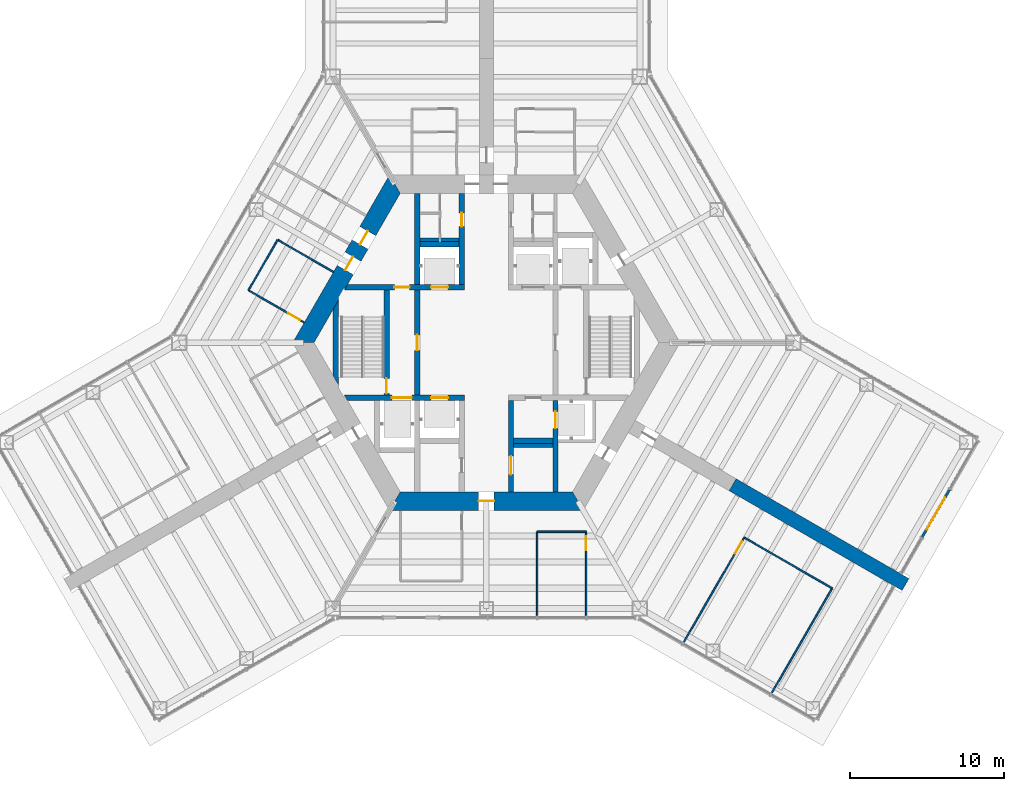
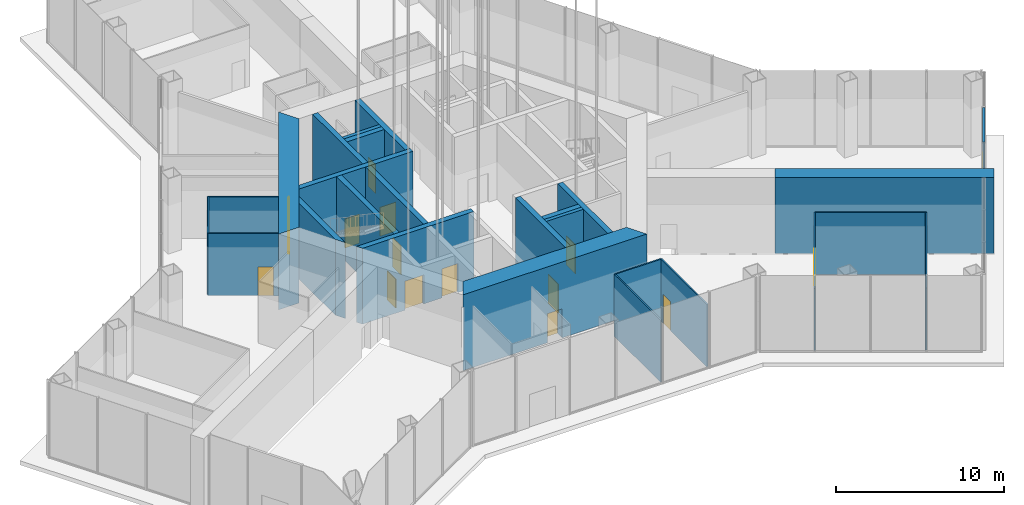
# One storey, part 10 of 18: 26 walls, 16 doors, 16 openings.
"""IFC4 building model written with IfcOpenShell, lengths in metres."""

from ifc_helpers import new_model, si_unit, direction, frame, frame_2d, origin, place, context, subcontext, project, spatial, polyline, rectangle, outline, extrude, material, layer, layer_set, type_object, element, fill, save


model = new_model("IFC4")

# Units and contexts
model_context = context("Model", 3, precision=1e-05, world=origin(), true_north=direction((0.0, 1.0)))
body_context = subcontext(model_context, "Body", "Model", "MODEL_VIEW")
ifc_project = project(units=[si_unit("LENGTHUNIT", "METRE"), si_unit("AREAUNIT", "SQUARE_METRE"), si_unit("VOLUMEUNIT", "CUBIC_METRE"), si_unit("PLANEANGLEUNIT", "RADIAN"), si_unit("MASSUNIT", "GRAM", prefix="KILO")], contexts=[model_context])

# Site, building, storey
site_placement = place(None, origin())
site = spatial("IfcSite", under=ifc_project, at=site_placement, CompositionType="ELEMENT")
building_placement = place(site_placement, origin())
building = spatial("IfcBuilding", under=site, at=building_placement, Name="Kasaneha Research Tower", CompositionType="ELEMENT")
storey_placement = place(building_placement, origin())
storey = spatial("IfcBuildingStorey", under=building, at=storey_placement, Name="L01", CompositionType="ELEMENT", Elevation=0.0)

# Wall, openings, doors
ifc_material_1 = material(Name="Concrete Fc100", Category="concrete")
ifc_layer_1 = layer(ifc_material_1, 0.35009765625)
ifc_layer_set_1 = layer_set([ifc_layer_1], Name="Core internal wall 350 Fc100")
wall_type_1 = type_object("IfcWallType", Name="Core internal wall 350 Fc100", PredefinedType="SHEAR", material=ifc_layer_set_1)
wall_1_placement = place(storey_placement, frame((-9.151123046875, 3.60009765625, 0.0), z_axis=(0.0, 0.0, 1.0), x_axis=(1.0, 0.0, 0.0)))
wall_1 = element("IfcWall", 1, at=wall_1_placement, inside=storey, type_object=wall_type_1, Name="Core wall W1W L01", PredefinedType="SHEAR", context=body_context, shape_type="SweptSolid", body=[
    extrude(outline(polyline([(-0.10107421875, -0.175048828125), (3.151123046875, -0.175048828125), (4.151123046875, -0.175048828125), (5.551025390625, -0.175048828125), (6.651123046875, -0.175048828125), (7.72607421875, -0.175048828125), (7.72607421875, 0.175048828125), (6.651123046875, 0.175048828125), (5.551025390625, 0.175048828125), (4.151123046875, 0.175048828125), (3.151123046875, 0.175048828125), (0.10107421875, 0.175048828125), (-0.10107421875, -0.175048828125)])), origin(), (0.0, 0.0, 1.0), 5.5),
])
opening_1_placement = place(wall_1_placement, frame((3.151123046875, 0.0, 0.0)))
opening_1 = element("IfcOpeningElement", 2, at=opening_1_placement, cuts=wall_1, Name="Opening L01-D12", PredefinedType="OPENING", context=body_context, shape_type="SweptSolid", body=[
    extrude(rectangle(XDim=1.0, YDim=2.10009765625, at=frame_2d((0.5, 1.050048828125))), frame((0.0, 0.18505859375, 0.0), z_axis=(0.0, -1.0, 0.0), x_axis=(1.0, 0.0, 0.0)), (0.0, 0.0, 1.0), 0.3701171875),
])
opening_2_placement = place(wall_1_placement, frame((5.551025390625, 0.0, 0.0)))
opening_2 = element("IfcOpeningElement", 3, at=opening_2_placement, cuts=wall_1, Name="Opening LD-LO1-L01", PredefinedType="OPENING", context=body_context, shape_type="SweptSolid", body=[
    extrude(rectangle(XDim=1.10009765625, YDim=2.10009765625, at=frame_2d((0.550048828125, 1.050048828125))), frame((0.0, 0.18505859375, 0.0), z_axis=(0.0, -1.0, 0.0), x_axis=(1.0, 0.0, 0.0)), (0.0, 0.0, 1.0), 0.3701171875),
])
ifc_material_2 = material(Name="Steel", Category="steel")
door_type_1 = type_object("IfcDoorType", Name="Lift landing door 1100x2100", OperationType="DOUBLE_DOOR_SLIDING", PredefinedType="DOOR", material=ifc_material_2)
door_1_placement = place(opening_2_placement, origin())
door_1 = element("IfcDoor", 4, at=door_1_placement, inside=storey, type_object=door_type_1, Name="Landing door LO1 LD-LO1-L01", OperationType="DOUBLE_DOOR_SLIDING", OverallHeight=2.10009765625, OverallWidth=1.10009765625, PredefinedType="DOOR", context=body_context, shape_type="SweptSolid", body=[
    extrude(rectangle(XDim=1.10009765625, YDim=2.10009765625, at=frame_2d((0.550048828125, 1.050048828125))), frame((0.0, 0.02490234375, 0.0), z_axis=(0.0, -1.0, 0.0), x_axis=(1.0, 0.0, 0.0)), (0.0, 0.0, 1.0), 0.050048828125),
])
fill(opening_2, door_1)
ifc_material_3 = material(Name="Steel", Category="steel")
door_type_2 = type_object("IfcDoorType", Name="Specified fire door FD60 1000x2100", OperationType="NOTDEFINED", PredefinedType="DOOR", material=ifc_material_3)
door_2_placement = place(opening_1_placement, origin())
door_2 = element("IfcDoor", 5, at=door_2_placement, inside=storey, type_object=door_type_2, Name="Vestibule to lobby door L01-D12", OperationType="SINGLE_SWING_LEFT", OverallHeight=2.10009765625, OverallWidth=1.0, PredefinedType="DOOR", context=body_context, shape_type="SweptSolid", body=[
    extrude(rectangle(XDim=1.0, YDim=2.10009765625, at=frame_2d((0.5, 1.050048828125))), frame((0.0, 0.02490234375, 0.0), z_axis=(0.0, -1.0, 0.0), x_axis=(1.0, 0.0, 0.0)), (0.0, 0.0, 1.0), 0.050048828125),
])
fill(opening_1, door_2)

wall_2_placement = place(storey_placement, frame((-9.151123046875, -3.60009765625, 0.0), z_axis=(0.0, 0.0, 1.0), x_axis=(1.0, 0.0, 0.0)))
wall_2 = element("IfcWall", 6, at=wall_2_placement, inside=storey, type_object=wall_type_1, Name="Core wall W2W L01", PredefinedType="SHEAR", context=body_context, shape_type="SweptSolid", body=[
    extrude(outline(polyline([(0.10107421875, -0.175048828125), (3.0009765625, -0.175048828125), (4.301025390625, -0.175048828125), (5.551025390625, -0.175048828125), (6.651123046875, -0.175048828125), (7.72607421875, -0.175048828125), (7.72607421875, 0.175048828125), (6.651123046875, 0.175048828125), (5.551025390625, 0.175048828125), (4.301025390625, 0.175048828125), (3.0009765625, 0.175048828125), (-0.10107421875, 0.175048828125), (0.10107421875, -0.175048828125)])), origin(), (0.0, 0.0, 1.0), 5.5),
])
opening_3_placement = place(wall_2_placement, frame((5.551025390625, 0.0, 0.0)))
opening_3 = element("IfcOpeningElement", 7, at=opening_3_placement, cuts=wall_2, Name="Opening LD-LO2-L01", PredefinedType="OPENING", context=body_context, shape_type="SweptSolid", body=[
    extrude(rectangle(XDim=1.10009765625, YDim=2.10009765625, at=frame_2d((0.550048828125, 1.050048828125))), frame((0.0, 0.18505859375, 0.0), z_axis=(0.0, -1.0, 0.0), x_axis=(1.0, 0.0, 0.0)), (0.0, 0.0, 1.0), 0.3701171875),
])
opening_4_placement = place(wall_2_placement, frame((3.0009765625, 0.0, 0.0)))
opening_4 = element("IfcOpeningElement", 8, at=opening_4_placement, cuts=wall_2, Name="Opening LD-FL2-L01", PredefinedType="OPENING", context=body_context, shape_type="SweptSolid", body=[
    extrude(rectangle(XDim=1.300048828125, YDim=2.10009765625, at=frame_2d((0.64990234375, 1.050048828125))), frame((0.0, 0.18505859375, 0.0), z_axis=(0.0, -1.0, 0.0), x_axis=(1.0, 0.0, 0.0)), (0.0, 0.0, 1.0), 0.3701171875),
])
door_3_placement = place(opening_3_placement, origin())
door_3 = element("IfcDoor", 9, at=door_3_placement, inside=storey, type_object=door_type_1, Name="Landing door LO2 LD-LO2-L01", OperationType="DOUBLE_DOOR_SLIDING", OverallHeight=2.10009765625, OverallWidth=1.10009765625, PredefinedType="DOOR", context=body_context, shape_type="SweptSolid", body=[
    extrude(rectangle(XDim=1.10009765625, YDim=2.10009765625, at=frame_2d((0.550048828125, 1.050048828125))), frame((0.0, 0.02490234375, 0.0), z_axis=(0.0, -1.0, 0.0), x_axis=(1.0, 0.0, 0.0)), (0.0, 0.0, 1.0), 0.050048828125),
])
fill(opening_3, door_3)
ifc_material_4 = material(Name="Steel", Category="steel")
door_type_3 = type_object("IfcDoorType", Name="Lift landing door 1300x2100", OperationType="DOUBLE_DOOR_SLIDING", PredefinedType="DOOR", material=ifc_material_4)
door_4_placement = place(opening_4_placement, origin())
door_4 = element("IfcDoor", 10, at=door_4_placement, inside=storey, type_object=door_type_3, Name="Landing door FL2 LD-FL2-L01", OperationType="DOUBLE_DOOR_SLIDING", OverallHeight=2.10009765625, OverallWidth=1.300048828125, PredefinedType="DOOR", context=body_context, shape_type="SweptSolid", body=[
    extrude(rectangle(XDim=1.300048828125, YDim=2.10009765625, at=frame_2d((0.64990234375, 1.050048828125))), frame((0.0, 0.02490234375, 0.0), z_axis=(0.0, -1.0, 0.0), x_axis=(1.0, 0.0, 0.0)), (0.0, 0.0, 1.0), 0.050048828125),
])
fill(opening_4, door_4)

# Wall, opening, door
wall_3_placement = place(storey_placement, frame((-1.60009765625, 3.77490234375, 0.0), z_axis=(0.0, 0.0, 1.0), x_axis=(0.0, 1.0, 0.0)))
wall_3 = element("IfcWall", 11, at=wall_3_placement, inside=storey, type_object=wall_type_1, Name="Core wall CNW L01", PredefinedType="SHEAR", context=body_context, shape_type="SweptSolid", body=[
    extrude(rectangle(XDim=5.9501953125, YDim=0.35009765625, at=frame_2d((2.97509765625, 0.0))), origin(), (0.0, 0.0, 1.0), 5.5),
])
opening_5_placement = place(wall_3_placement, frame((3.77490234375, 0.0, 0.0)))
opening_5 = element("IfcOpeningElement", 12, at=opening_5_placement, cuts=wall_3, Name="Opening L01-D13", PredefinedType="OPENING", context=body_context, shape_type="SweptSolid", body=[
    extrude(rectangle(XDim=0.89990234375, YDim=2.10009765625, at=frame_2d((0.449951171875, 1.050048828125))), frame((0.0, 0.18505859375, 0.0), z_axis=(0.0, -1.0, 0.0), x_axis=(1.0, 0.0, 0.0)), (0.0, 0.0, 1.0), 0.3701171875),
])
ifc_material_5 = material(Name="Steel", Category="steel")
door_type_4 = type_object("IfcDoorType", Name="Toilet door FD20 900x2100", OperationType="NOTDEFINED", PredefinedType="DOOR", material=ifc_material_5)
door_5_placement = place(opening_5_placement, origin())
door_5 = element("IfcDoor", 13, at=door_5_placement, inside=storey, type_object=door_type_4, Name="Men's WC door L01-D13", OperationType="SINGLE_SWING_LEFT", OverallHeight=2.10009765625, OverallWidth=0.89990234375, PredefinedType="DOOR", context=body_context, shape_type="SweptSolid", body=[
    extrude(rectangle(XDim=0.89990234375, YDim=2.10009765625, at=frame_2d((0.449951171875, 1.050048828125))), frame((0.0, 0.02490234375, 0.0), z_axis=(0.0, -1.0, 0.0), x_axis=(1.0, 0.0, 0.0)), (0.0, 0.0, 1.0), 0.050048828125),
])
fill(opening_5, door_5)

wall_4_placement = place(storey_placement, frame((1.60009765625, -3.77490234375, 0.0), z_axis=(0.0, 0.0, 1.0), x_axis=(0.0, -1.0, 0.0)))
wall_4 = element("IfcWall", 14, at=wall_4_placement, inside=storey, type_object=wall_type_1, Name="Core wall CSE L01", PredefinedType="SHEAR", context=body_context, shape_type="SweptSolid", body=[
    extrude(rectangle(XDim=5.9501953125, YDim=0.35009765625, at=frame_2d((2.97509765625, 0.0))), origin(), (0.0, 0.0, 1.0), 5.5),
])
opening_6_placement = place(wall_4_placement, frame((3.625, 0.0, 0.0)))
opening_6 = element("IfcOpeningElement", 15, at=opening_6_placement, cuts=wall_4, Name="Opening L01-D15", PredefinedType="OPENING", context=body_context, shape_type="SweptSolid", body=[
    extrude(rectangle(XDim=1.199951171875, YDim=2.10009765625, at=frame_2d((0.60009765625, 1.050048828125))), frame((0.0, 0.18505859375, 0.0), z_axis=(0.0, -1.0, 0.0), x_axis=(1.0, 0.0, 0.0)), (0.0, 0.0, 1.0), 0.3701171875),
])
ifc_material_6 = material(Name="Steel", Category="steel")
door_type_5 = type_object("IfcDoorType", Name="Accessible toilet sliding door FD20 1200x2100", OperationType="SLIDING_TO_LEFT", PredefinedType="DOOR", material=ifc_material_6)
door_6_placement = place(opening_6_placement, origin())
door_6 = element("IfcDoor", 16, at=door_6_placement, inside=storey, type_object=door_type_5, Name="Accessible WC door L01-D15", OperationType="SLIDING_TO_LEFT", OverallHeight=2.10009765625, OverallWidth=1.199951171875, PredefinedType="DOOR", context=body_context, shape_type="SweptSolid", body=[
    extrude(rectangle(XDim=1.199951171875, YDim=2.10009765625, at=frame_2d((0.60009765625, 1.050048828125))), frame((0.0, 0.02490234375, 0.0), z_axis=(0.0, -1.0, 0.0), x_axis=(1.0, 0.0, 0.0)), (0.0, 0.0, 1.0), 0.050048828125),
])
fill(opening_6, door_6)

wall_5_placement = place(storey_placement, frame((-4.5, -3.425048828125, 0.0), z_axis=(0.0, 0.0, 1.0), x_axis=(0.0, 1.0, 0.0)))
wall_5 = element("IfcWall", 17, at=wall_5_placement, inside=storey, type_object=wall_type_1, Name="Core wall LBW L01", PredefinedType="SHEAR", context=body_context, shape_type="SweptSolid", body=[
    extrude(rectangle(XDim=6.85009765625, YDim=0.35009765625, at=frame_2d((3.425048828125, 0.0))), origin(), (0.0, 0.0, 1.0), 5.5),
])
opening_7_placement = place(wall_5_placement, frame((2.925048828125, 0.0, 0.0)))
opening_7 = element("IfcOpeningElement", 18, at=opening_7_placement, cuts=wall_5, Name="Opening L01-D09", PredefinedType="OPENING", context=body_context, shape_type="SweptSolid", body=[
    extrude(rectangle(XDim=1.0, YDim=2.10009765625, at=frame_2d((0.5, 1.050048828125))), frame((0.0, 0.18505859375, 0.0), z_axis=(0.0, -1.0, 0.0), x_axis=(1.0, 0.0, 0.0)), (0.0, 0.0, 1.0), 0.3701171875),
])
door_7_placement = place(opening_7_placement, origin())
door_7 = element("IfcDoor", 19, at=door_7_placement, inside=storey, type_object=door_type_2, Name="Lift lobby door west L01-D09", OperationType="SINGLE_SWING_LEFT", OverallHeight=2.10009765625, OverallWidth=1.0, PredefinedType="DOOR", context=body_context, shape_type="SweptSolid", body=[
    extrude(rectangle(XDim=1.0, YDim=2.10009765625, at=frame_2d((0.5, 1.050048828125))), frame((0.0, 0.02490234375, 0.0), z_axis=(0.0, -1.0, 0.0), x_axis=(1.0, 0.0, 0.0)), (0.0, 0.0, 1.0), 0.050048828125),
])
fill(opening_7, door_7)

wall_6_placement = place(storey_placement, frame((-6.5, -3.425048828125, 0.0), z_axis=(0.0, 0.0, 1.0), x_axis=(0.0, 1.0, 0.0)))
wall_6 = element("IfcWall", 20, at=wall_6_placement, inside=storey, type_object=wall_type_1, Name="Core wall ANW L01", PredefinedType="SHEAR", context=body_context, shape_type="SweptSolid", body=[
    extrude(rectangle(XDim=6.85009765625, YDim=0.35009765625, at=frame_2d((3.425048828125, 0.0))), origin(), (0.0, 0.0, 1.0), 5.5),
])
opening_8_placement = place(wall_6_placement, frame((0.10009765625, 0.0, 0.0)))
opening_8 = element("IfcOpeningElement", 21, at=opening_8_placement, cuts=wall_6, Name="Opening L01-D11", PredefinedType="OPENING", context=body_context, shape_type="SweptSolid", body=[
    extrude(rectangle(XDim=1.0, YDim=2.10009765625, at=frame_2d((0.5, 1.050048828125))), frame((0.0, 0.18505859375, 0.0), z_axis=(0.0, -1.0, 0.0), x_axis=(1.0, 0.0, 0.0)), (0.0, 0.0, 1.0), 0.3701171875),
])
door_8_placement = place(opening_8_placement, origin())
door_8 = element("IfcDoor", 22, at=door_8_placement, inside=storey, type_object=door_type_2, Name="Stair 2 door L01-D11", OperationType="SINGLE_SWING_LEFT", OverallHeight=2.10009765625, OverallWidth=1.0, PredefinedType="DOOR", context=body_context, shape_type="SweptSolid", body=[
    extrude(rectangle(XDim=1.0, YDim=2.10009765625, at=frame_2d((0.5, 1.050048828125))), frame((0.0, 0.02490234375, 0.0), z_axis=(0.0, -1.0, 0.0), x_axis=(1.0, 0.0, 0.0)), (0.0, 0.0, 1.0), 0.050048828125),
])
fill(opening_8, door_8)

# Wall
wall_7_placement = place(storey_placement, frame((-4.5, 3.77490234375, 0.0), z_axis=(0.0, 0.0, 1.0), x_axis=(0.0, 1.0, 0.0)))
element("IfcWall", 23, at=wall_7_placement, inside=storey, type_object=wall_type_1, Name="Core wall VNW L01", PredefinedType="SHEAR", context=body_context, shape_type="SweptSolid", body=[
    extrude(rectangle(XDim=5.9501953125, YDim=0.35009765625, at=frame_2d((2.97509765625, 0.0))), origin(), (0.0, 0.0, 1.0), 5.5),
])

# Wall, opening, door
wall_8_placement = place(storey_placement, frame((4.5, -3.77490234375, 0.0), z_axis=(0.0, 0.0, 1.0), x_axis=(0.0, -1.0, 0.0)))
wall_8 = element("IfcWall", 24, at=wall_8_placement, inside=storey, type_object=wall_type_1, Name="Core wall SSE L01", PredefinedType="SHEAR", context=body_context, shape_type="SweptSolid", body=[
    extrude(rectangle(XDim=5.9501953125, YDim=0.35009765625, at=frame_2d((2.97509765625, 0.0))), origin(), (0.0, 0.0, 1.0), 5.5),
])
opening_9_placement = place(wall_8_placement, frame((0.71240234375, 0.0, 0.0)))
opening_9 = element("IfcOpeningElement", 25, at=opening_9_placement, cuts=wall_8, Name="Opening LD-PL1-L01", PredefinedType="OPENING", context=body_context, shape_type="SweptSolid", body=[
    extrude(rectangle(XDim=1.10009765625, YDim=2.10009765625, at=frame_2d((0.550048828125, 1.050048828125))), frame((0.0, 0.18505859375, 0.0), z_axis=(0.0, -1.0, 0.0), x_axis=(1.0, 0.0, 0.0)), (0.0, 0.0, 1.0), 0.3701171875),
])
door_9_placement = place(opening_9_placement, origin())
door_9 = element("IfcDoor", 26, at=door_9_placement, inside=storey, type_object=door_type_1, Name="Landing door PL1 LD-PL1-L01", OperationType="DOUBLE_DOOR_SLIDING", OverallHeight=2.10009765625, OverallWidth=1.10009765625, PredefinedType="DOOR", context=body_context, shape_type="SweptSolid", body=[
    extrude(rectangle(XDim=1.10009765625, YDim=2.10009765625, at=frame_2d((0.550048828125, 1.050048828125))), frame((0.0, 0.02490234375, 0.0), z_axis=(0.0, -1.0, 0.0), x_axis=(1.0, 0.0, 0.0)), (0.0, 0.0, 1.0), 0.050048828125),
])
fill(opening_9, door_9)

# Walls
for number, where, z_axis, x_axis, name in (
    (27, (-4.324951171875, 6.39990234375, 0.0), (0.0, 0.0, 1.0), (1.0, 0.0, 0.0), "Core wall N1N L01"),
    (28, (1.77490234375, -6.39990234375, 0.0), (0.0, 0.0, 1.0), (1.0, 0.0, 0.0), "Core wall S3S L01"),
):
    element("IfcWall", number, at=place(storey_placement, frame(where, z_axis=z_axis, x_axis=x_axis)), inside=storey, type_object=wall_type_1, Name=name, PredefinedType="SHEAR", context=body_context, shape_type="SweptSolid", body=[
        extrude(rectangle(XDim=2.550048828125, YDim=0.35009765625, at=frame_2d((1.27490234375, 0.0))), origin(), (0.0, 0.0, 1.0), 5.5),
    ])
wall_9_placement = place(storey_placement, frame((-9.807861328125, -2.462158203125, 0.0), z_axis=(0.0, 0.0, 1.0), x_axis=(0.0, 1.0, 0.0)))
element("IfcWall", 29, at=wall_9_placement, inside=storey, type_object=wall_type_1, Name="Core wall STW L01", PredefinedType="SHEAR", context=body_context, shape_type="SweptSolid", body=[
    extrude(outline(polyline([(-0.30322265625, -0.175048828125), (5.2275390625, -0.175048828125), (4.62109375, 0.175048828125), (0.30322265625, 0.175048828125), (-0.30322265625, -0.175048828125)])), origin(), (0.0, 0.0, 1.0), 5.5),
])

# Wall, openings, doors
ifc_material_7 = material(Name="Concrete Fc100", Category="concrete")
ifc_layer_2 = layer(ifc_material_7, 1.199951171875)
ifc_layer_set_2 = layer_set([ifc_layer_2], Name="Core wall 1200 Fc100")
wall_type_2 = type_object("IfcWallType", Name="Core wall 1200 Fc100", PredefinedType="SHEAR", material=ifc_layer_set_2)
wall_10_placement = place(storey_placement, frame((-5.961181640625, 10.324951171875, 0.0), z_axis=(0.0, 0.0, 1.0), x_axis=(-0.500004296715, -0.866022923061, 0.0)))
wall_10 = element("IfcWall", 30, at=wall_10_placement, inside=storey, type_object=wall_type_2, Name="Core wall 150 L01", PredefinedType="SHEAR", context=body_context, shape_type="SweptSolid", body=[
    extrude(outline(polyline([(-0.346435546875, -0.60009765625), (3.541259765625, -0.60009765625), (4.541259765625, -0.60009765625), (5.461181640625, -0.60009765625), (6.461181640625, -0.60009765625), (12.268798828125, -0.60009765625), (11.575927734375, 0.60009765625), (6.461181640625, 0.60009765625), (5.461181640625, 0.60009765625), (4.541259765625, 0.60009765625), (3.541259765625, 0.60009765625), (0.346435546875, 0.60009765625), (-0.346435546875, -0.60009765625)])), origin(), (0.0, 0.0, 1.0), 5.5),
])
opening_10_placement = place(wall_10_placement, frame((3.541259765625, 0.0, 0.0)))
opening_10 = element("IfcOpeningElement", 31, at=opening_10_placement, cuts=wall_10, Name="Opening L01-D07", PredefinedType="OPENING", context=body_context, shape_type="SweptSolid", body=[
    extrude(rectangle(XDim=1.0, YDim=2.10009765625, at=frame_2d((0.5, 1.050048828125))), frame((0.0, 0.60986328125, 0.0), z_axis=(0.0, -1.0, 0.0), x_axis=(1.0, 0.0, 0.0)), (0.0, 0.0, 1.0), 1.219970703125),
])
opening_11_placement = place(wall_10_placement, frame((5.461181640625, 0.0, 0.0)))
opening_11 = element("IfcOpeningElement", 32, at=opening_11_placement, cuts=wall_10, Name="Opening L01-D40", PredefinedType="OPENING", context=body_context, shape_type="SweptSolid", body=[
    extrude(rectangle(XDim=1.0, YDim=2.10009765625, at=frame_2d((0.5, 1.050048828125))), frame((0.0, 0.60986328125, 0.0), z_axis=(0.0, -1.0, 0.0), x_axis=(1.0, 0.0, 0.0)), (0.0, 0.0, 1.0), 1.219970703125),
])
ifc_material_8 = material(Name="Steel", Category="steel")
door_type_6 = type_object("IfcDoorType", Name="Fire door FD20 1000x2100", OperationType="NOTDEFINED", PredefinedType="DOOR", material=ifc_material_8)
door_10_placement = place(opening_11_placement, origin())
door_10 = element("IfcDoor", 33, at=door_10_placement, inside=storey, type_object=door_type_6, Name="Vestibule hall door L01-D40", OperationType="SINGLE_SWING_LEFT", OverallHeight=2.10009765625, OverallWidth=1.0, PredefinedType="DOOR", context=body_context, shape_type="SweptSolid", body=[
    extrude(rectangle(XDim=1.0, YDim=2.10009765625, at=frame_2d((0.5, 1.050048828125))), frame((0.0, 0.02490234375, 0.0), z_axis=(0.0, -1.0, 0.0), x_axis=(1.0, 0.0, 0.0)), (0.0, 0.0, 1.0), 0.050048828125),
])
fill(opening_11, door_10)
door_11_placement = place(opening_10_placement, origin())
door_11 = element("IfcDoor", 34, at=door_11_placement, inside=storey, type_object=door_type_2, Name="Vestibule door L01-D07", OperationType="SINGLE_SWING_LEFT", OverallHeight=2.10009765625, OverallWidth=1.0, PredefinedType="DOOR", context=body_context, shape_type="SweptSolid", body=[
    extrude(rectangle(XDim=1.0, YDim=2.10009765625, at=frame_2d((0.5, 1.050048828125))), frame((0.0, 0.02490234375, 0.0), z_axis=(0.0, -1.0, 0.0), x_axis=(1.0, 0.0, 0.0)), (0.0, 0.0, 1.0), 0.050048828125),
])
fill(opening_10, door_11)

# Wall, opening, door
wall_11_placement = place(storey_placement, frame((-5.961181640625, -10.324951171875, 0.0), z_axis=(0.0, 0.0, 1.0), x_axis=(1.0, 0.0, 0.0)))
wall_11 = element("IfcWall", 35, at=wall_11_placement, inside=storey, type_object=wall_type_2, Name="Core wall 270 L01", PredefinedType="SHEAR", context=body_context, shape_type="SweptSolid", body=[
    extrude(outline(polyline([(-0.346435546875, -0.60009765625), (5.461181640625, -0.60009765625), (6.461181640625, -0.60009765625), (12.268798828125, -0.60009765625), (11.575927734375, 0.60009765625), (6.461181640625, 0.60009765625), (5.461181640625, 0.60009765625), (0.346435546875, 0.60009765625), (-0.346435546875, -0.60009765625)])), origin(), (0.0, 0.0, 1.0), 5.5),
])
opening_12_placement = place(wall_11_placement, frame((5.461181640625, 0.0, 0.0)))
opening_12 = element("IfcOpeningElement", 36, at=opening_12_placement, cuts=wall_11, Name="Opening L01-D03", PredefinedType="OPENING", context=body_context, shape_type="SweptSolid", body=[
    extrude(rectangle(XDim=1.0, YDim=2.10009765625, at=frame_2d((0.5, 1.050048828125))), frame((0.0, 0.60986328125, 0.0), z_axis=(0.0, -1.0, 0.0), x_axis=(1.0, 0.0, 0.0)), (0.0, 0.0, 1.0), 1.219970703125),
])
door_12_placement = place(opening_12_placement, origin())
door_12 = element("IfcDoor", 37, at=door_12_placement, inside=storey, type_object=door_type_6, Name="Core door south L01-D03", OperationType="SINGLE_SWING_LEFT", OverallHeight=2.10009765625, OverallWidth=1.0, PredefinedType="DOOR", context=body_context, shape_type="SweptSolid", body=[
    extrude(rectangle(XDim=1.0, YDim=2.10009765625, at=frame_2d((0.5, 1.050048828125))), frame((0.0, 0.02490234375, 0.0), z_axis=(0.0, -1.0, 0.0), x_axis=(1.0, 0.0, 0.0)), (0.0, 0.0, 1.0), 0.050048828125),
])
fill(opening_12, door_12)

ifc_material_9 = material(Name="Glass and aluminium", Category="aluminium")
ifc_layer_3 = layer(ifc_material_9, 0.14990234375)
ifc_layer_set_3 = layer_set([ifc_layer_3], Name="Glazed entrance screen 150")
wall_type_3 = type_object("IfcWallType", Name="Glazed entrance screen 150", PredefinedType="STANDARD", material=ifc_layer_set_3)
wall_12_placement = place(storey_placement, frame((28.3779296875, -12.68896484375, 0.0), z_axis=(0.0, 0.0, 1.0), x_axis=(0.500012057535, 0.866018442252, 0.0)))
wall_12 = element("IfcWall", 38, at=wall_12_placement, inside=storey, type_object=wall_type_3, Name="Glazed entrance screen L01", PredefinedType="STANDARD", context=body_context, shape_type="SweptSolid", body=[
    extrude(rectangle(XDim=3.60009765625, YDim=0.14990234375, at=frame_2d((1.800048828125, 0.0))), origin(), (0.0, 0.0, 1.0), 5.5),
])
opening_13_placement = place(wall_12_placement, frame((0.60009765625, 0.0, 0.0)))
opening_13 = element("IfcOpeningElement", 39, at=opening_13_placement, cuts=wall_12, Name="Opening L01-ED02", PredefinedType="OPENING", context=body_context, shape_type="SweptSolid", body=[
    extrude(rectangle(XDim=2.39990234375, YDim=2.699951171875, at=frame_2d((1.199951171875, 1.35009765625))), frame((0.0, 0.0849609375, 0.0), z_axis=(0.0, -1.0, 0.0), x_axis=(1.0, 0.0, 0.0)), (0.0, 0.0, 1.0), 0.169921875),
])
ifc_material_10 = material(Name="Glass and aluminium", Category="aluminium")
door_type_7 = type_object("IfcDoorType", Name="Goods entrance door 2400x2700", OperationType="DOUBLE_DOOR_SINGLE_SWING", PredefinedType="DOOR", material=ifc_material_10)
door_13_placement = place(opening_13_placement, origin())
door_13 = element("IfcDoor", 40, at=door_13_placement, inside=storey, type_object=door_type_7, Name="Goods entrance door L01-ED02", OperationType="DOUBLE_DOOR_SINGLE_SWING", OverallHeight=2.699951171875, OverallWidth=2.39990234375, PredefinedType="DOOR", context=body_context, shape_type="SweptSolid", body=[
    extrude(rectangle(XDim=2.39990234375, YDim=2.699951171875, at=frame_2d((1.199951171875, 1.35009765625))), frame((0.0, 0.02490234375, 0.0), z_axis=(0.0, -1.0, 0.0), x_axis=(1.0, 0.0, 0.0)), (0.0, 0.0, 1.0), 0.050048828125),
])
fill(opening_13, door_13)

# Walls
ifc_material_11 = material(Name="Gypsum board on steel studs, one layer each side", Category="steel")
ifc_layer_4 = layer(ifc_material_11, 0.10009765625)
ifc_layer_set_4 = layer_set([ifc_layer_4], Name="Office partition 100")
wall_type_4 = type_object("IfcWallType", Name="Office partition 100", PredefinedType="PARTITIONING", material=ifc_layer_set_4)
wall_13_placement = place(storey_placement, frame((-15.49853515625, 3.405517578125, 0.0), z_axis=(0.0, 0.0, 1.0), x_axis=(0.499967155389, 0.866044365799, 0.0)))
element("IfcWall", 41, at=wall_13_placement, inside=storey, type_object=wall_type_4, Name="Office partition FBN07 L01", PredefinedType="PARTITIONING", context=body_context, shape_type="SweptSolid", body=[
    extrude(rectangle(XDim=3.800048828125, YDim=0.10009765625, at=frame_2d((1.89990234375, 0.0))), origin(), (0.0, 0.0, 1.0), 4.5),
])
wall_14_placement = place(storey_placement, frame((-13.5986328125, 6.696533203125, 0.0), z_axis=(0.0, 0.0, 1.0), x_axis=(0.866024134012, -0.500002199304, 0.0)))
element("IfcWall", 42, at=wall_14_placement, inside=storey, type_object=wall_type_4, Name="Office partition FBN08 L01", PredefinedType="PARTITIONING", context=body_context, shape_type="SweptSolid", body=[
    extrude(rectangle(XDim=4.18017578125, YDim=0.10009765625, at=frame_2d((2.090087890625, 0.0))), origin(), (0.0, 0.0, 1.0), 4.5),
])

# Wall, opening, door
wall_15_placement = place(storey_placement, frame((-11.878662109375, 1.315673828125, 0.0), z_axis=(0.0, 0.0, 1.0), x_axis=(-0.866034823405, 0.499983684383, 0.0)))
wall_15 = element("IfcWall", 43, at=wall_15_placement, inside=storey, type_object=wall_type_4, Name="Office partition FBN09 L01", PredefinedType="PARTITIONING", context=body_context, shape_type="SweptSolid", body=[
    extrude(rectangle(XDim=4.179931640625, YDim=0.10009765625, at=frame_2d((2.08984375, 0.0))), origin(), (0.0, 0.0, 1.0), 4.5),
])
opening_14_placement = place(wall_15_placement, frame((0.300048828125, 0.0, 0.0)))
opening_14 = element("IfcOpeningElement", 44, at=opening_14_placement, cuts=wall_15, Name="Opening L01-D35", PredefinedType="OPENING", context=body_context, shape_type="SweptSolid", body=[
    extrude(rectangle(XDim=0.89990234375, YDim=2.10009765625, at=frame_2d((0.449951171875, 1.050048828125))), frame((0.0, 0.06005859375, 0.0), z_axis=(0.0, -1.0, 0.0), x_axis=(1.0, 0.0, 0.0)), (0.0, 0.0, 1.0), 0.1201171875),
])
ifc_material_12 = material(Name="Timber veneer", Category="wood")
door_type_8 = type_object("IfcDoorType", Name="Office door 900x2100", OperationType="SINGLE_SWING_LEFT", PredefinedType="DOOR", material=ifc_material_12)
door_14_placement = place(opening_14_placement, origin())
door_14 = element("IfcDoor", 45, at=door_14_placement, inside=storey, type_object=door_type_8, Name="Visitor cloakroom door L01-D35", OperationType="SINGLE_SWING_LEFT", OverallHeight=2.10009765625, OverallWidth=0.89990234375, PredefinedType="DOOR", context=body_context, shape_type="SweptSolid", body=[
    extrude(rectangle(XDim=0.89990234375, YDim=2.10009765625, at=frame_2d((0.449951171875, 1.050048828125))), frame((0.0, 0.02490234375, 0.0), z_axis=(0.0, -1.0, 0.0), x_axis=(1.0, 0.0, 0.0)), (0.0, 0.0, 1.0), 0.050048828125),
])
fill(opening_14, door_14)

wall_16_placement = place(storey_placement, frame((12.84228515625, -19.538818359375, 0.0), z_axis=(0.0, 0.0, 1.0), x_axis=(0.499997992926, 0.866026562566, 0.0)))
wall_16 = element("IfcWall", 46, at=wall_16_placement, inside=storey, type_object=wall_type_4, Name="Office partition FCS01 L01", PredefinedType="PARTITIONING", context=body_context, shape_type="SweptSolid", body=[
    extrude(rectangle(XDim=7.89990234375, YDim=0.10009765625, at=frame_2d((3.949951171875, 0.0))), origin(), (0.0, 0.0, 1.0), 4.5),
])
opening_15_placement = place(wall_16_placement, frame((6.699951171875, 0.0, 0.0)))
opening_15 = element("IfcOpeningElement", 47, at=opening_15_placement, cuts=wall_16, Name="Opening L01-D37", PredefinedType="OPENING", context=body_context, shape_type="SweptSolid", body=[
    extrude(rectangle(XDim=0.89990234375, YDim=2.10009765625, at=frame_2d((0.449951171875, 1.050048828125))), frame((0.0, 0.06005859375, 0.0), z_axis=(0.0, -1.0, 0.0), x_axis=(1.0, 0.0, 0.0)), (0.0, 0.0, 1.0), 0.1201171875),
])
door_15_placement = place(opening_15_placement, origin())
door_15 = element("IfcDoor", 48, at=door_15_placement, inside=storey, type_object=door_type_8, Name="Campus information centre door L01-D37", OperationType="SINGLE_SWING_RIGHT", OverallHeight=2.10009765625, OverallWidth=0.89990234375, PredefinedType="DOOR", context=body_context, shape_type="SweptSolid", body=[
    extrude(rectangle(XDim=0.89990234375, YDim=2.10009765625, at=frame_2d((0.449951171875, 1.050048828125))), frame((0.0, 0.02490234375, 0.0), z_axis=(0.0, -1.0, 0.0), x_axis=(1.0, 0.0, 0.0)), (0.0, 0.0, 1.0), 0.050048828125),
])
fill(opening_15, door_15)

# Walls
wall_17_placement = place(storey_placement, frame((16.792236328125, -12.697265625, 0.0), z_axis=(0.0, 0.0, 1.0), x_axis=(0.866021597574, -0.500006592492, 0.0)))
element("IfcWall", 49, at=wall_17_placement, inside=storey, type_object=wall_type_4, Name="Office partition FCS02 L01", PredefinedType="PARTITIONING", context=body_context, shape_type="SweptSolid", body=[
    extrude(rectangle(XDim=6.61962890625, YDim=0.10009765625, at=frame_2d((3.309814453125, 0.0))), origin(), (0.0, 0.0, 1.0), 4.5),
])
wall_18_placement = place(storey_placement, frame((22.52490234375, -16.007080078125, 0.0), z_axis=(0.0, 0.0, 1.0), x_axis=(-0.49999779889, -0.866026674592, 0.0)))
element("IfcWall", 50, at=wall_18_placement, inside=storey, type_object=wall_type_4, Name="Office partition FCS03 L01", PredefinedType="PARTITIONING", context=body_context, shape_type="SweptSolid", body=[
    extrude(rectangle(XDim=7.8798828125, YDim=0.10009765625, at=frame_2d((3.93994140625, 0.0))), origin(), (0.0, 0.0, 1.0), 4.5),
])
wall_19_placement = place(storey_placement, frame((3.309814453125, -17.79443359375, 0.0), z_axis=(0.0, 0.0, 1.0), x_axis=(0.0, 1.0, 0.0)))
element("IfcWall", 51, at=wall_19_placement, inside=storey, type_object=wall_type_4, Name="Office partition FCS04 L01", PredefinedType="PARTITIONING", context=body_context, shape_type="SweptSolid", body=[
    extrude(rectangle(XDim=5.473876953125, YDim=0.10009765625, at=frame_2d((2.73681640625, 0.0))), origin(), (0.0, 0.0, 1.0), 4.5),
])
wall_20_placement = place(storey_placement, frame((3.309814453125, -12.320556640625, 0.0), z_axis=(0.0, 0.0, 1.0), x_axis=(1.0, 0.0, 0.0)))
element("IfcWall", 52, at=wall_20_placement, inside=storey, type_object=wall_type_4, Name="Office partition FCS05 L01", PredefinedType="PARTITIONING", context=body_context, shape_type="SweptSolid", body=[
    extrude(rectangle(XDim=3.18310546875, YDim=0.10009765625, at=frame_2d((1.591552734375, 0.0))), origin(), (0.0, 0.0, 1.0), 4.5),
])

# Wall, opening, door
wall_21_placement = place(storey_placement, frame((6.492919921875, -12.320556640625, 0.0), z_axis=(0.0, 0.0, 1.0), x_axis=(0.0, -1.0, 0.0)))
wall_21 = element("IfcWall", 53, at=wall_21_placement, inside=storey, type_object=wall_type_4, Name="Office partition FCS06 L01", PredefinedType="PARTITIONING", context=body_context, shape_type="SweptSolid", body=[
    extrude(rectangle(XDim=5.47998046875, YDim=0.10009765625, at=frame_2d((2.739990234375, 0.0))), origin(), (0.0, 0.0, 1.0), 4.5),
])
opening_16_placement = place(wall_21_placement, frame((0.300048828125, 0.0, 0.0)))
opening_16 = element("IfcOpeningElement", 54, at=opening_16_placement, cuts=wall_21, Name="Opening L01-D38", PredefinedType="OPENING", context=body_context, shape_type="SweptSolid", body=[
    extrude(rectangle(XDim=0.89990234375, YDim=2.10009765625, at=frame_2d((0.449951171875, 1.050048828125))), frame((0.0, 0.06005859375, 0.0), z_axis=(0.0, -1.0, 0.0), x_axis=(1.0, 0.0, 0.0)), (0.0, 0.0, 1.0), 0.1201171875),
])
door_16_placement = place(opening_16_placement, origin())
door_16 = element("IfcDoor", 55, at=door_16_placement, inside=storey, type_object=door_type_8, Name="Clinic door L01-D38", OperationType="SINGLE_SWING_LEFT", OverallHeight=2.10009765625, OverallWidth=0.89990234375, PredefinedType="DOOR", context=body_context, shape_type="SweptSolid", body=[
    extrude(rectangle(XDim=0.89990234375, YDim=2.10009765625, at=frame_2d((0.449951171875, 1.050048828125))), frame((0.0, 0.02490234375, 0.0), z_axis=(0.0, -1.0, 0.0), x_axis=(1.0, 0.0, 0.0)), (0.0, 0.0, 1.0), 0.050048828125),
])
fill(opening_16, door_16)

# Walls
ifc_material_13 = material(Name="Concrete Fc100", Category="concrete")
ifc_layer_5 = layer(ifc_material_13, 0.89990234375)
ifc_layer_set_5 = layer_set([ifc_layer_5], Name="Spine wall 900 Fc100")
wall_type_5 = type_object("IfcWallType", Name="Spine wall 900 Fc100", PredefinedType="SHEAR", material=ifc_layer_set_5)
wall_22_placement = place(storey_placement, frame((16.039306640625, -9.26025390625, 0.0), z_axis=(0.0, 0.0, 1.0), x_axis=(0.866024837091, -0.50000098154, 0.0)))
element("IfcWall", 56, at=wall_22_placement, inside=storey, type_object=wall_type_5, Name="Spine wall C wing L01", PredefinedType="SHEAR", context=body_context, shape_type="SweptSolid", body=[
    extrude(rectangle(XDim=13.0, YDim=0.89990234375, at=frame_2d((6.5, 0.0))), origin(), (0.0, 0.0, 1.0), 5.5),
])
ifc_material_14 = material(Name="Concrete block lining", Category="concrete")
ifc_layer_6 = layer(ifc_material_14, 0.25)
ifc_layer_set_6 = layer_set([ifc_layer_6], Name="WC plumbing wall 250")
wall_type_6 = type_object("IfcWallType", Name="WC plumbing wall 250", PredefinedType="PLUMBINGWALL", material=ifc_layer_set_6)
for number, where, z_axis, x_axis, name in (
    (57, (-4.324951171875, 6.699951171875, 0.0), (0.0, 0.0, 1.0), (1.0, 0.0, 0.0), "WC plumbing wall M L01"),
    (58, (1.77490234375, -6.699951171875, 0.0), (0.0, 0.0, 1.0), (1.0, 0.0, 0.0), "WC plumbing wall A L01"),
):
    element("IfcWall", number, at=place(storey_placement, frame(where, z_axis=z_axis, x_axis=x_axis)), inside=storey, type_object=wall_type_6, Name=name, PredefinedType="PLUMBINGWALL", context=body_context, shape_type="SweptSolid", body=[
        extrude(rectangle(XDim=2.550048828125, YDim=0.25, at=frame_2d((1.27490234375, 0.0))), origin(), (0.0, 0.0, 1.0), 5.5),
    ])

save(model, "model.ifc")
